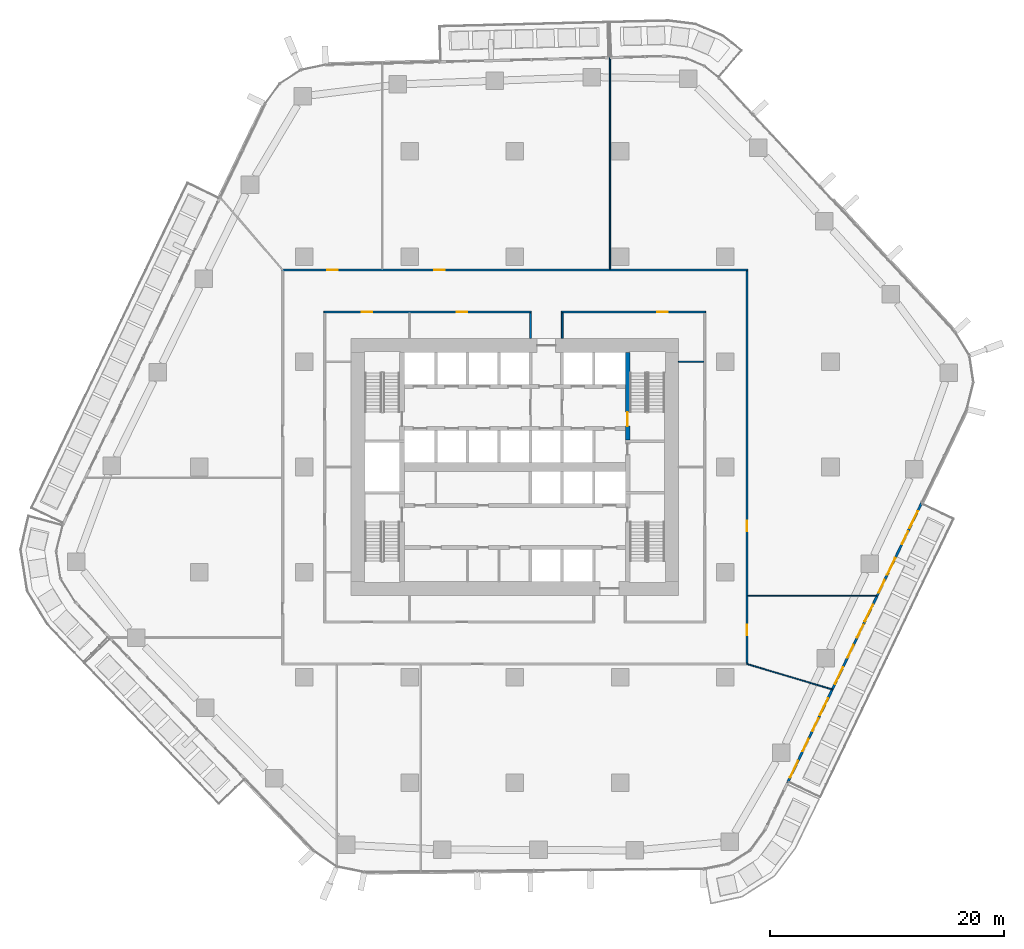
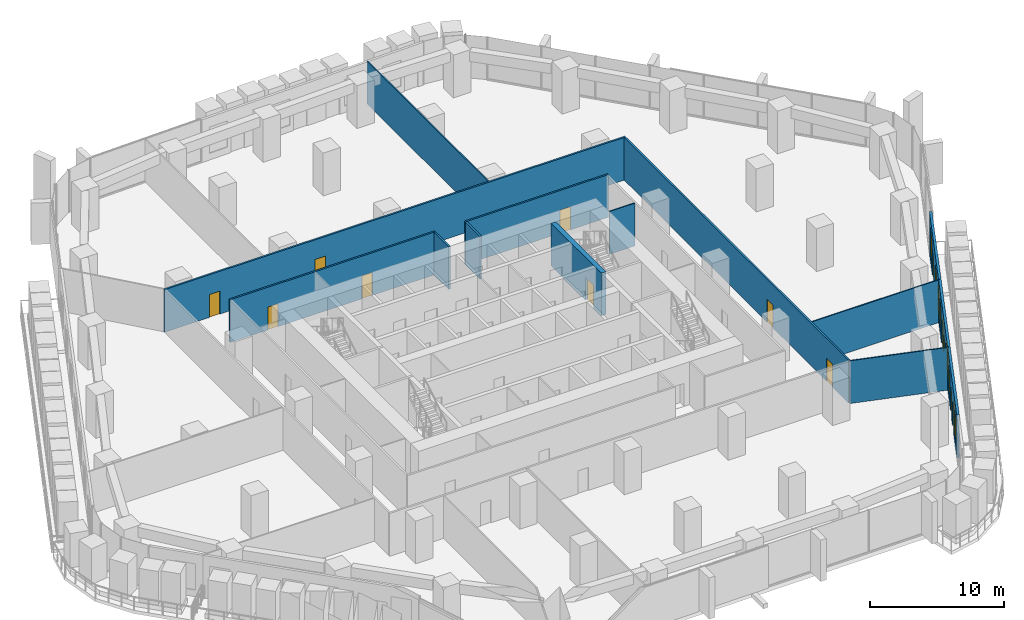
# One storey, part 15 of 23: 14 doors, 12 walls, 6 windows, 20 openings.
"""IFC4 building model written with IfcOpenShell, lengths in metres."""

from ifc_helpers import new_model, si_unit, direction, frame, frame_2d, origin, place, context, subcontext, project, spatial, rectangle, extrude, material, layer, layer_set, type_object, element, fill, save


model = new_model("IFC4")

# Units and contexts
model_context = context("Model", 3, precision=1e-05, world=origin(), true_north=direction((0.0, 1.0)))
body_context = subcontext(model_context, "Body", "Model", "MODEL_VIEW")
ifc_project = project(units=[si_unit("LENGTHUNIT", "METRE"), si_unit("AREAUNIT", "SQUARE_METRE"), si_unit("VOLUMEUNIT", "CUBIC_METRE"), si_unit("PLANEANGLEUNIT", "RADIAN"), si_unit("MASSUNIT", "GRAM", prefix="KILO")], contexts=[model_context])

# Site, building, storey
site_placement = place(None, origin())
site = spatial("IfcSite", under=ifc_project, at=site_placement, CompositionType="ELEMENT")
building_placement = place(site_placement, origin())
building = spatial("IfcBuilding", under=site, at=building_placement, Name="Dongbaek Canopy Tower", CompositionType="ELEMENT")
storey_placement = place(building_placement, frame((0.0, 0.0, 84.699951171875)))
storey = spatial("IfcBuildingStorey", under=building, at=storey_placement, Name="L17", CompositionType="ELEMENT", Elevation=84.699951171875)

# Wall, openings, doors
ifc_material_1 = material(Name="Gypsum board partition, steel stud, 2 x 15 mm fire board", Category="steel")
ifc_layer_1 = layer(ifc_material_1, 0.14990234375)
ifc_layer_set_1 = layer_set([ifc_layer_1], Name="Fire-rated partition 150 gypsum board")
wall_type_1 = type_object("IfcWallType", Name="Fire-rated partition 150 gypsum board", PredefinedType="PARTITIONING", material=ifc_layer_set_1)
wall_1_placement = place(storey_placement, frame((1.425048828125, 13.25, 0.0), z_axis=(0.0, 0.0, 1.0), x_axis=(-1.0, 0.0, 0.0)))
wall_1 = element("IfcWall", 1, at=wall_1_placement, inside=storey, type_object=wall_type_1, Name="Corridor partition", PredefinedType="PARTITIONING", context=body_context, shape_type="SweptSolid", body=[
    extrude(rectangle(XDim=17.75, YDim=0.14990234375, at=frame_2d((8.875, 0.0))), origin(), (0.0, 0.0, 1.0), 3.900146484375),
])
opening_1_placement = place(wall_1_placement, frame((5.47509765625, 0.0, 0.0)))
opening_1 = element("IfcOpeningElement", 2, at=opening_1_placement, cuts=wall_1, Name="Opening L17-D015", PredefinedType="OPENING", context=body_context, shape_type="SweptSolid", body=[
    extrude(rectangle(XDim=0.89990234375, YDim=2.10009765625, at=frame_2d((0.449951171875, 1.050048828125))), frame((0.0, 0.0849609375, 0.0), z_axis=(0.0, -1.0, 0.0), x_axis=(1.0, 0.0, 0.0)), (0.0, 0.0, 1.0), 0.169921875),
])
opening_2_placement = place(wall_1_placement, frame((13.60009765625, 0.0, 0.0)))
opening_2 = element("IfcOpeningElement", 3, at=opening_2_placement, cuts=wall_1, Name="Opening L17-D016", PredefinedType="OPENING", context=body_context, shape_type="SweptSolid", body=[
    extrude(rectangle(XDim=0.89990234375, YDim=2.10009765625, at=frame_2d((0.449951171875, 1.050048828125))), frame((0.0, 0.0849609375, 0.0), z_axis=(0.0, -1.0, 0.0), x_axis=(1.0, 0.0, 0.0)), (0.0, 0.0, 1.0), 0.169921875),
])
ifc_material_2 = material(Name="Timber veneered door leaf", Category="wood")
door_type_1 = type_object("IfcDoorType", Name="Room door 900 x 2100", OperationType="SINGLE_SWING_LEFT", PredefinedType="DOOR", material=ifc_material_2)
door_1_placement = place(opening_1_placement, origin())
door_1 = element("IfcDoor", 4, at=door_1_placement, inside=storey, type_object=door_type_1, Name="Door L17-D015", OperationType="SINGLE_SWING_LEFT", OverallHeight=2.10009765625, OverallWidth=0.89990234375, PredefinedType="DOOR", context=body_context, shape_type="SweptSolid", body=[
    extrude(rectangle(XDim=0.89990234375, YDim=2.10009765625, at=frame_2d((0.449951171875, 1.050048828125))), frame((0.0, 0.02490234375, 0.0), z_axis=(0.0, -1.0, 0.0), x_axis=(1.0, 0.0, 0.0)), (0.0, 0.0, 1.0), 0.050048828125),
])
fill(opening_1, door_1)
door_2_placement = place(opening_2_placement, origin())
door_2 = element("IfcDoor", 5, at=door_2_placement, inside=storey, type_object=door_type_1, Name="Door L17-D016", OperationType="SINGLE_SWING_RIGHT", OverallHeight=2.10009765625, OverallWidth=0.89990234375, PredefinedType="DOOR", context=body_context, shape_type="SweptSolid", body=[
    extrude(rectangle(XDim=0.89990234375, YDim=2.10009765625, at=frame_2d((0.449951171875, 1.050048828125))), frame((0.0, 0.02490234375, 0.0), z_axis=(0.0, -1.0, 0.0), x_axis=(1.0, 0.0, 0.0)), (0.0, 0.0, 1.0), 0.050048828125),
])
fill(opening_2, door_2)

# Wall, opening, door
wall_2_placement = place(storey_placement, frame((16.324951171875, 13.25, 0.0), z_axis=(0.0, 0.0, 1.0), x_axis=(-1.0, 0.0, 0.0)))
wall_2 = element("IfcWall", 6, at=wall_2_placement, inside=storey, type_object=wall_type_1, Name="Corridor partition", PredefinedType="PARTITIONING", context=body_context, shape_type="SweptSolid", body=[
    extrude(rectangle(XDim=12.349853515625, YDim=0.14990234375, at=frame_2d((6.1748046875, 0.0))), origin(), (0.0, 0.0, 1.0), 3.900146484375),
])
opening_3_placement = place(wall_2_placement, frame((3.25, 0.0, 0.0)))
opening_3 = element("IfcOpeningElement", 7, at=opening_3_placement, cuts=wall_2, Name="Opening L17-D014", PredefinedType="OPENING", context=body_context, shape_type="SweptSolid", body=[
    extrude(rectangle(XDim=0.89990234375, YDim=2.10009765625, at=frame_2d((0.449951171875, 1.050048828125))), frame((0.0, 0.0849609375, 0.0), z_axis=(0.0, -1.0, 0.0), x_axis=(1.0, 0.0, 0.0)), (0.0, 0.0, 1.0), 0.169921875),
])
door_3_placement = place(opening_3_placement, origin())
door_3 = element("IfcDoor", 8, at=door_3_placement, inside=storey, type_object=door_type_1, Name="Door L17-D014", OperationType="SINGLE_SWING_RIGHT", OverallHeight=2.10009765625, OverallWidth=0.89990234375, PredefinedType="DOOR", context=body_context, shape_type="SweptSolid", body=[
    extrude(rectangle(XDim=0.89990234375, YDim=2.10009765625, at=frame_2d((0.449951171875, 1.050048828125))), frame((0.0, 0.02490234375, 0.0), z_axis=(0.0, -1.0, 0.0), x_axis=(1.0, 0.0, 0.0)), (0.0, 0.0, 1.0), 0.050048828125),
])
fill(opening_3, door_3)

# Wall, openings, doors
wall_3_placement = place(storey_placement, frame((-19.925048828125, 16.85009765625, 0.0), z_axis=(0.0, 0.0, 1.0), x_axis=(1.0, 0.0, 0.0)))
wall_3 = element("IfcWall", 9, at=wall_3_placement, inside=storey, type_object=wall_type_1, Name="Corridor partition", PredefinedType="PARTITIONING", context=body_context, shape_type="SweptSolid", body=[
    extrude(rectangle(XDim=39.85009765625, YDim=0.14990234375, at=frame_2d((19.925048828125, 0.0))), origin(), (0.0, 0.0, 1.0), 3.900146484375),
])
opening_4_placement = place(wall_3_placement, frame((13.017333984375, 0.0, 0.0)))
opening_4 = element("IfcOpeningElement", 10, at=opening_4_placement, cuts=wall_3, Name="Opening L17-D006", PredefinedType="OPENING", context=body_context, shape_type="SweptSolid", body=[
    extrude(rectangle(XDim=0.89990234375, YDim=2.10009765625, at=frame_2d((0.449951171875, 1.050048828125))), frame((0.0, 0.0849609375, 0.0), z_axis=(0.0, -1.0, 0.0), x_axis=(1.0, 0.0, 0.0)), (0.0, 0.0, 1.0), 0.169921875),
])
opening_5_placement = place(wall_3_placement, frame((3.88720703125, 0.0, 0.0)))
opening_5 = element("IfcOpeningElement", 11, at=opening_5_placement, cuts=wall_3, Name="Opening L17-D007", PredefinedType="OPENING", context=body_context, shape_type="SweptSolid", body=[
    extrude(rectangle(XDim=0.89990234375, YDim=2.10009765625, at=frame_2d((0.449951171875, 1.050048828125))), frame((0.0, 0.0849609375, 0.0), z_axis=(0.0, -1.0, 0.0), x_axis=(1.0, 0.0, 0.0)), (0.0, 0.0, 1.0), 0.169921875),
])
door_4_placement = place(opening_4_placement, origin())
door_4 = element("IfcDoor", 12, at=door_4_placement, inside=storey, type_object=door_type_1, Name="Door L17-D006", OperationType="SINGLE_SWING_RIGHT", OverallHeight=2.10009765625, OverallWidth=0.89990234375, PredefinedType="DOOR", context=body_context, shape_type="SweptSolid", body=[
    extrude(rectangle(XDim=0.89990234375, YDim=2.10009765625, at=frame_2d((0.449951171875, 1.050048828125))), frame((0.0, 0.02490234375, 0.0), z_axis=(0.0, -1.0, 0.0), x_axis=(1.0, 0.0, 0.0)), (0.0, 0.0, 1.0), 0.050048828125),
])
fill(opening_4, door_4)
door_5_placement = place(opening_5_placement, origin())
door_5 = element("IfcDoor", 13, at=door_5_placement, inside=storey, type_object=door_type_1, Name="Door L17-D007", OperationType="SINGLE_SWING_LEFT", OverallHeight=2.10009765625, OverallWidth=0.89990234375, PredefinedType="DOOR", context=body_context, shape_type="SweptSolid", body=[
    extrude(rectangle(XDim=0.89990234375, YDim=2.10009765625, at=frame_2d((0.449951171875, 1.050048828125))), frame((0.0, 0.02490234375, 0.0), z_axis=(0.0, -1.0, 0.0), x_axis=(1.0, 0.0, 0.0)), (0.0, 0.0, 1.0), 0.050048828125),
])
fill(opening_5, door_5)

wall_4_placement = place(storey_placement, frame((19.85009765625, 16.77490234375, 0.0), z_axis=(0.0, 0.0, 1.0), x_axis=(0.0, -1.0, 0.0)))
wall_4 = element("IfcWall", 14, at=wall_4_placement, inside=storey, type_object=wall_type_1, Name="Corridor partition", PredefinedType="PARTITIONING", context=body_context, shape_type="SweptSolid", body=[
    extrude(rectangle(XDim=33.5498046875, YDim=0.14990234375, at=frame_2d((16.77490234375, 0.0))), origin(), (0.0, 0.0, 1.0), 3.900146484375),
])
opening_6_placement = place(wall_4_placement, frame((30.26220703125, 0.0, 0.0)))
opening_6 = element("IfcOpeningElement", 15, at=opening_6_placement, cuts=wall_4, Name="Opening L17-D004", PredefinedType="OPENING", context=body_context, shape_type="SweptSolid", body=[
    extrude(rectangle(XDim=0.89990234375, YDim=2.10009765625, at=frame_2d((0.449951171875, 1.050048828125))), frame((0.0, 0.0849609375, 0.0), z_axis=(0.0, -1.0, 0.0), x_axis=(1.0, 0.0, 0.0)), (0.0, 0.0, 1.0), 0.169921875),
])
opening_7_placement = place(wall_4_placement, frame((21.351806640625, 0.0, 0.0)))
opening_7 = element("IfcOpeningElement", 16, at=opening_7_placement, cuts=wall_4, Name="Opening L17-D005", PredefinedType="OPENING", context=body_context, shape_type="SweptSolid", body=[
    extrude(rectangle(XDim=0.89990234375, YDim=2.10009765625, at=frame_2d((0.449951171875, 1.050048828125))), frame((0.0, 0.0849609375, 0.0), z_axis=(0.0, -1.0, 0.0), x_axis=(1.0, 0.0, 0.0)), (0.0, 0.0, 1.0), 0.169921875),
])
door_6_placement = place(opening_6_placement, origin())
door_6 = element("IfcDoor", 17, at=door_6_placement, inside=storey, type_object=door_type_1, Name="Door L17-D004", OperationType="SINGLE_SWING_RIGHT", OverallHeight=2.10009765625, OverallWidth=0.89990234375, PredefinedType="DOOR", context=body_context, shape_type="SweptSolid", body=[
    extrude(rectangle(XDim=0.89990234375, YDim=2.10009765625, at=frame_2d((0.449951171875, 1.050048828125))), frame((0.0, 0.02490234375, 0.0), z_axis=(0.0, -1.0, 0.0), x_axis=(1.0, 0.0, 0.0)), (0.0, 0.0, 1.0), 0.050048828125),
])
fill(opening_6, door_6)
door_7_placement = place(opening_7_placement, origin())
door_7 = element("IfcDoor", 18, at=door_7_placement, inside=storey, type_object=door_type_1, Name="Door L17-D005", OperationType="SINGLE_SWING_LEFT", OverallHeight=2.10009765625, OverallWidth=0.89990234375, PredefinedType="DOOR", context=body_context, shape_type="SweptSolid", body=[
    extrude(rectangle(XDim=0.89990234375, YDim=2.10009765625, at=frame_2d((0.449951171875, 1.050048828125))), frame((0.0, 0.02490234375, 0.0), z_axis=(0.0, -1.0, 0.0), x_axis=(1.0, 0.0, 0.0)), (0.0, 0.0, 1.0), 0.050048828125),
])
fill(opening_7, door_7)

# Walls
for number, where, z_axis, x_axis, name in (
    (19, (4.050048828125, 11.0, 0.0), (0.0, 0.0, 1.0), (0.0, 1.0, 0.0), "Corridor partition"),
    (20, (1.35009765625, 11.0, 0.0), (0.0, 0.0, 1.0), (0.0, 1.0, 0.0), "Corridor partition"),
):
    element("IfcWall", number, at=place(storey_placement, frame(where, z_axis=z_axis, x_axis=x_axis)), inside=storey, type_object=wall_type_1, Name=name, PredefinedType="PARTITIONING", context=body_context, shape_type="SweptSolid", body=[
        extrude(rectangle(XDim=2.175048828125, YDim=0.14990234375, at=frame_2d((1.08740234375, 0.0))), origin(), (0.0, 0.0, 1.0), 3.900146484375),
    ])
ifc_material_3 = material(Name="Gypsum board partition, steel stud, 2 x 12.5 mm board", Category="steel")
ifc_layer_2 = layer(ifc_material_3, 0.10009765625)
ifc_layer_set_2 = layer_set([ifc_layer_2], Name="Partition 100 gypsum board")
wall_type_2 = type_object("IfcWallType", Name="Partition 100 gypsum board", PredefinedType="PARTITIONING", material=ifc_layer_set_2)
wall_5_placement = place(storey_placement, frame((19.925048828125, -11.02490234375, 0.0), z_axis=(0.0, 0.0, 1.0), x_axis=(1.0, 0.0, 0.0)))
element("IfcWall", 21, at=wall_5_placement, inside=storey, type_object=wall_type_2, Name="Partition", PredefinedType="PARTITIONING", context=body_context, shape_type="SweptSolid", body=[
    extrude(rectangle(XDim=11.03759765625, YDim=0.10009765625, at=frame_2d((5.518798828125, 0.0))), origin(), (0.0, 0.0, 1.0), 3.900146484375),
])
wall_6_placement = place(storey_placement, frame((14.0, 9.0, 0.0), z_axis=(0.0, 0.0, 1.0), x_axis=(1.0, 0.0, 0.0)))
element("IfcWall", 22, at=wall_6_placement, inside=storey, type_object=wall_type_2, Name="Partition", PredefinedType="PARTITIONING", context=body_context, shape_type="SweptSolid", body=[
    extrude(rectangle(XDim=2.175048828125, YDim=0.10009765625, at=frame_2d((1.08740234375, 0.0))), origin(), (0.0, 0.0, 1.0), 3.900146484375),
])
wall_7_placement = place(storey_placement, frame((8.14599609375, 16.925048828125, 0.0), z_axis=(0.0, 0.0, 1.0), x_axis=(0.0, 1.0, 0.0)))
element("IfcWall", 23, at=wall_7_placement, inside=storey, type_object=wall_type_2, Name="Partition", PredefinedType="PARTITIONING", context=body_context, shape_type="SweptSolid", body=[
    extrude(rectangle(XDim=18.06396484375, YDim=0.10009765625, at=frame_2d((9.031982421875, 0.0))), origin(), (0.0, 0.0, 1.0), 3.900146484375),
])
wall_8_placement = place(storey_placement, frame((19.85009765625, -16.849609375, 0.0), z_axis=(0.0, 0.0, 1.0), x_axis=(0.958526393987, -0.285003775467, 0.0)))
element("IfcWall", 24, at=wall_8_placement, inside=storey, type_object=wall_type_2, Name="Partition", PredefinedType="PARTITIONING", context=body_context, shape_type="SweptSolid", body=[
    extrude(rectangle(XDim=7.59912109375, YDim=0.10009765625, at=frame_2d((3.799560546875, 0.0))), origin(), (0.0, 0.0, 1.0), 3.900146484375),
])

# Wall, opening, door
ifc_material_4 = material(Name="Concrete C60/75", Category="concrete")
ifc_layer_3 = layer(ifc_material_4, 0.39990234375)
ifc_layer_set_3 = layer_set([ifc_layer_3], Name="Stair wall 400 Concrete C60/75")
wall_type_3 = type_object("IfcWallType", Name="Stair wall 400 Concrete C60/75", PredefinedType="SHEAR", material=ifc_layer_set_3)
wall_9_placement = place(storey_placement, frame((9.64990234375, 9.800048828125, 0.0), z_axis=(0.0, 0.0, 1.0), x_axis=(0.0, -1.0, 0.0)))
wall_9 = element("IfcWall", 25, at=wall_9_placement, inside=storey, type_object=wall_type_3, Name="Stair wall", PredefinedType="SHEAR", context=body_context, shape_type="SweptSolid", body=[
    extrude(rectangle(XDim=7.5, YDim=0.39990234375, at=frame_2d((3.75, 0.0))), origin(), (0.0, 0.0, 1.0), 3.900146484375),
])
opening_8_placement = place(wall_9_placement, frame((5.10009765625, 0.0, 0.0)))
opening_8 = element("IfcOpeningElement", 26, at=opening_8_placement, cuts=wall_9, Name="Opening L17-D042", PredefinedType="OPENING", context=body_context, shape_type="SweptSolid", body=[
    extrude(rectangle(XDim=1.199951171875, YDim=2.10009765625, at=frame_2d((0.60009765625, 1.050048828125))), frame((0.0, 0.2099609375, 0.0), z_axis=(0.0, -1.0, 0.0), x_axis=(1.0, 0.0, 0.0)), (0.0, 0.0, 1.0), 0.419921875),
])
ifc_material_5 = material(Name="Steel", Category="steel")
door_type_2 = type_object("IfcDoorType", Name="Stair door 1200 x 2100", OperationType="SINGLE_SWING_LEFT", PredefinedType="DOOR", material=ifc_material_5)
door_8_placement = place(opening_8_placement, origin())
door_8 = element("IfcDoor", 27, at=door_8_placement, inside=storey, type_object=door_type_2, Name="Stair A door", OperationType="SINGLE_SWING_LEFT", OverallHeight=2.10009765625, OverallWidth=1.199951171875, PredefinedType="DOOR", context=body_context, shape_type="SweptSolid", body=[
    extrude(rectangle(XDim=1.199951171875, YDim=2.10009765625, at=frame_2d((0.60009765625, 1.050048828125))), frame((0.0, 0.02490234375, 0.0), z_axis=(0.0, -1.0, 0.0), x_axis=(1.0, 0.0, 0.0)), (0.0, 0.0, 1.0), 0.050048828125),
])
fill(opening_8, door_8)

# Wall, openings, doors, windows
ifc_material_6 = material(Name="Aluminium window wall", Category="aluminium")
ifc_layer_4 = layer(ifc_material_6, 0.199951171875)
ifc_layer_set_4 = layer_set([ifc_layer_4], Name="Window wall 200")
wall_type_4 = type_object("IfcWallType", Name="Window wall 200", PredefinedType="SOLIDWALL", material=ifc_layer_set_4)
wall_10_placement = place(storey_placement, frame((23.321533203125, -27.018798828125, 0.0), z_axis=(0.0, 0.0, 1.0), x_axis=(0.432099655508, 0.901825863296, 0.0)))
wall_10 = element("IfcWall", 28, at=wall_10_placement, inside=storey, type_object=wall_type_4, Name="Window wall L17 4", PredefinedType="SOLIDWALL", context=body_context, shape_type="SweptSolid", body=[
    extrude(rectangle(XDim=26.60302734375, YDim=0.199951171875, at=frame_2d((13.301513671875, 0.0))), origin(), (0.0, 0.0, 1.0), 3.900146484375),
])
opening_9_placement = place(wall_10_placement, frame((0.5, 0.0, 0.60009765625)))
opening_9 = element("IfcOpeningElement", 29, at=opening_9_placement, cuts=wall_10, Name="Opening W1", PredefinedType="OPENING", context=body_context, shape_type="SweptSolid", body=[
    extrude(rectangle(XDim=1.60009765625, YDim=2.39990234375, at=frame_2d((0.800048828125, 1.199951171875))), frame((0.0, 0.10986328125, 0.0), z_axis=(0.0, -1.0, 0.0), x_axis=(1.0, 0.0, 0.0)), (0.0, 0.0, 1.0), 0.219970703125),
])
opening_10_placement = place(wall_10_placement, frame((3.0, 0.0, 0.0)))
opening_10 = element("IfcOpeningElement", 30, at=opening_10_placement, cuts=wall_10, Name="Opening L17-B17", PredefinedType="OPENING", context=body_context, shape_type="SweptSolid", body=[
    extrude(rectangle(XDim=1.199951171875, YDim=2.39990234375, at=frame_2d((0.60009765625, 1.199951171875))), frame((0.0, 0.10986328125, 0.0), z_axis=(0.0, -1.0, 0.0), x_axis=(1.0, 0.0, 0.0)), (0.0, 0.0, 1.0), 0.219970703125),
])
opening_11_placement = place(wall_10_placement, frame((6.433837890625, 0.0, 0.60009765625)))
opening_11 = element("IfcOpeningElement", 31, at=opening_11_placement, cuts=wall_10, Name="Opening W1", PredefinedType="OPENING", context=body_context, shape_type="SweptSolid", body=[
    extrude(rectangle(XDim=1.60009765625, YDim=2.39990234375, at=frame_2d((0.800048828125, 1.199951171875))), frame((0.0, 0.10986328125, 0.0), z_axis=(0.0, -1.0, 0.0), x_axis=(1.0, 0.0, 0.0)), (0.0, 0.0, 1.0), 0.219970703125),
])
opening_12_placement = place(wall_10_placement, frame((4.933837890625, 0.0, 0.0)))
opening_12 = element("IfcOpeningElement", 32, at=opening_12_placement, cuts=wall_10, Name="Opening L17-B18", PredefinedType="OPENING", context=body_context, shape_type="SweptSolid", body=[
    extrude(rectangle(XDim=1.199951171875, YDim=2.39990234375, at=frame_2d((0.60009765625, 1.199951171875))), frame((0.0, 0.10986328125, 0.0), z_axis=(0.0, -1.0, 0.0), x_axis=(1.0, 0.0, 0.0)), (0.0, 0.0, 1.0), 0.219970703125),
])
opening_13_placement = place(wall_10_placement, frame((9.36767578125, 0.0, 0.60009765625)))
opening_13 = element("IfcOpeningElement", 33, at=opening_13_placement, cuts=wall_10, Name="Opening W1", PredefinedType="OPENING", context=body_context, shape_type="SweptSolid", body=[
    extrude(rectangle(XDim=1.60009765625, YDim=2.39990234375, at=frame_2d((0.800048828125, 1.199951171875))), frame((0.0, 0.10986328125, 0.0), z_axis=(0.0, -1.0, 0.0), x_axis=(1.0, 0.0, 0.0)), (0.0, 0.0, 1.0), 0.219970703125),
])
opening_14_placement = place(wall_10_placement, frame((11.86767578125, 0.0, 0.0)))
opening_14 = element("IfcOpeningElement", 34, at=opening_14_placement, cuts=wall_10, Name="Opening L17-B19", PredefinedType="OPENING", context=body_context, shape_type="SweptSolid", body=[
    extrude(rectangle(XDim=1.199951171875, YDim=2.39990234375, at=frame_2d((0.60009765625, 1.199951171875))), frame((0.0, 0.10986328125, 0.0), z_axis=(0.0, -1.0, 0.0), x_axis=(1.0, 0.0, 0.0)), (0.0, 0.0, 1.0), 0.219970703125),
])
opening_15_placement = place(wall_10_placement, frame((15.30126953125, 0.0, 0.60009765625)))
opening_15 = element("IfcOpeningElement", 35, at=opening_15_placement, cuts=wall_10, Name="Opening W1", PredefinedType="OPENING", context=body_context, shape_type="SweptSolid", body=[
    extrude(rectangle(XDim=1.60009765625, YDim=2.39990234375, at=frame_2d((0.800048828125, 1.199951171875))), frame((0.0, 0.10986328125, 0.0), z_axis=(0.0, -1.0, 0.0), x_axis=(1.0, 0.0, 0.0)), (0.0, 0.0, 1.0), 0.219970703125),
])
opening_16_placement = place(wall_10_placement, frame((13.80126953125, 0.0, 0.0)))
opening_16 = element("IfcOpeningElement", 36, at=opening_16_placement, cuts=wall_10, Name="Opening L17-B20", PredefinedType="OPENING", context=body_context, shape_type="SweptSolid", body=[
    extrude(rectangle(XDim=1.199951171875, YDim=2.39990234375, at=frame_2d((0.60009765625, 1.199951171875))), frame((0.0, 0.10986328125, 0.0), z_axis=(0.0, -1.0, 0.0), x_axis=(1.0, 0.0, 0.0)), (0.0, 0.0, 1.0), 0.219970703125),
])
opening_17_placement = place(wall_10_placement, frame((19.735107421875, 0.0, 0.60009765625)))
opening_17 = element("IfcOpeningElement", 37, at=opening_17_placement, cuts=wall_10, Name="Opening W1", PredefinedType="OPENING", context=body_context, shape_type="SweptSolid", body=[
    extrude(rectangle(XDim=1.60009765625, YDim=2.39990234375, at=frame_2d((0.800048828125, 1.199951171875))), frame((0.0, 0.10986328125, 0.0), z_axis=(0.0, -1.0, 0.0), x_axis=(1.0, 0.0, 0.0)), (0.0, 0.0, 1.0), 0.219970703125),
])
opening_18_placement = place(wall_10_placement, frame((18.03515625, 0.0, 0.0)))
opening_18 = element("IfcOpeningElement", 38, at=opening_18_placement, cuts=wall_10, Name="Opening L17-B21", PredefinedType="OPENING", context=body_context, shape_type="SweptSolid", body=[
    extrude(rectangle(XDim=1.199951171875, YDim=2.39990234375, at=frame_2d((0.60009765625, 1.199951171875))), frame((0.0, 0.10986328125, 0.0), z_axis=(0.0, -1.0, 0.0), x_axis=(1.0, 0.0, 0.0)), (0.0, 0.0, 1.0), 0.219970703125),
])
opening_19_placement = place(wall_10_placement, frame((24.1689453125, 0.0, 0.60009765625)))
opening_19 = element("IfcOpeningElement", 39, at=opening_19_placement, cuts=wall_10, Name="Opening W1", PredefinedType="OPENING", context=body_context, shape_type="SweptSolid", body=[
    extrude(rectangle(XDim=1.60009765625, YDim=2.39990234375, at=frame_2d((0.800048828125, 1.199951171875))), frame((0.0, 0.10986328125, 0.0), z_axis=(0.0, -1.0, 0.0), x_axis=(1.0, 0.0, 0.0)), (0.0, 0.0, 1.0), 0.219970703125),
])
opening_20_placement = place(wall_10_placement, frame((22.6689453125, 0.0, 0.0)))
opening_20 = element("IfcOpeningElement", 40, at=opening_20_placement, cuts=wall_10, Name="Opening L17-B22", PredefinedType="OPENING", context=body_context, shape_type="SweptSolid", body=[
    extrude(rectangle(XDim=1.199951171875, YDim=2.39990234375, at=frame_2d((0.60009765625, 1.199951171875))), frame((0.0, 0.10986328125, 0.0), z_axis=(0.0, -1.0, 0.0), x_axis=(1.0, 0.0, 0.0)), (0.0, 0.0, 1.0), 0.219970703125),
])
ifc_material_7 = material(Name="Clear glazing in aluminium frame", Category="aluminium")
door_type_3 = type_object("IfcDoorType", Name="Balcony door BD1 1200 x 2400", OperationType="SLIDING_TO_LEFT", PredefinedType="DOOR", material=ifc_material_7)
door_9_placement = place(opening_10_placement, origin())
door_9 = element("IfcDoor", 41, at=door_9_placement, inside=storey, type_object=door_type_3, Name="Balcony door L17-B17", OperationType="SLIDING_TO_LEFT", OverallHeight=2.39990234375, OverallWidth=1.199951171875, PredefinedType="DOOR", context=body_context, shape_type="SweptSolid", body=[
    extrude(rectangle(XDim=1.199951171875, YDim=2.39990234375, at=frame_2d((0.60009765625, 1.199951171875))), frame((0.0, 0.02490234375, 0.0), z_axis=(0.0, -1.0, 0.0), x_axis=(1.0, 0.0, 0.0)), (0.0, 0.0, 1.0), 0.050048828125),
])
fill(opening_10, door_9)
door_10_placement = place(opening_12_placement, origin())
door_10 = element("IfcDoor", 42, at=door_10_placement, inside=storey, type_object=door_type_3, Name="Balcony door L17-B18", OperationType="SLIDING_TO_LEFT", OverallHeight=2.39990234375, OverallWidth=1.199951171875, PredefinedType="DOOR", context=body_context, shape_type="SweptSolid", body=[
    extrude(rectangle(XDim=1.199951171875, YDim=2.39990234375, at=frame_2d((0.60009765625, 1.199951171875))), frame((0.0, 0.02490234375, 0.0), z_axis=(0.0, -1.0, 0.0), x_axis=(1.0, 0.0, 0.0)), (0.0, 0.0, 1.0), 0.050048828125),
])
fill(opening_12, door_10)
door_11_placement = place(opening_14_placement, origin())
door_11 = element("IfcDoor", 43, at=door_11_placement, inside=storey, type_object=door_type_3, Name="Balcony door L17-B19", OperationType="SLIDING_TO_LEFT", OverallHeight=2.39990234375, OverallWidth=1.199951171875, PredefinedType="DOOR", context=body_context, shape_type="SweptSolid", body=[
    extrude(rectangle(XDim=1.199951171875, YDim=2.39990234375, at=frame_2d((0.60009765625, 1.199951171875))), frame((0.0, 0.02490234375, 0.0), z_axis=(0.0, -1.0, 0.0), x_axis=(1.0, 0.0, 0.0)), (0.0, 0.0, 1.0), 0.050048828125),
])
fill(opening_14, door_11)
door_12_placement = place(opening_16_placement, origin())
door_12 = element("IfcDoor", 44, at=door_12_placement, inside=storey, type_object=door_type_3, Name="Balcony door L17-B20", OperationType="SLIDING_TO_LEFT", OverallHeight=2.39990234375, OverallWidth=1.199951171875, PredefinedType="DOOR", context=body_context, shape_type="SweptSolid", body=[
    extrude(rectangle(XDim=1.199951171875, YDim=2.39990234375, at=frame_2d((0.60009765625, 1.199951171875))), frame((0.0, 0.02490234375, 0.0), z_axis=(0.0, -1.0, 0.0), x_axis=(1.0, 0.0, 0.0)), (0.0, 0.0, 1.0), 0.050048828125),
])
fill(opening_16, door_12)
door_13_placement = place(opening_18_placement, origin())
door_13 = element("IfcDoor", 45, at=door_13_placement, inside=storey, type_object=door_type_3, Name="Balcony door L17-B21", OperationType="SLIDING_TO_LEFT", OverallHeight=2.39990234375, OverallWidth=1.199951171875, PredefinedType="DOOR", context=body_context, shape_type="SweptSolid", body=[
    extrude(rectangle(XDim=1.199951171875, YDim=2.39990234375, at=frame_2d((0.60009765625, 1.199951171875))), frame((0.0, 0.02490234375, 0.0), z_axis=(0.0, -1.0, 0.0), x_axis=(1.0, 0.0, 0.0)), (0.0, 0.0, 1.0), 0.050048828125),
])
fill(opening_18, door_13)
door_14_placement = place(opening_20_placement, origin())
door_14 = element("IfcDoor", 46, at=door_14_placement, inside=storey, type_object=door_type_3, Name="Balcony door L17-B22", OperationType="SLIDING_TO_LEFT", OverallHeight=2.39990234375, OverallWidth=1.199951171875, PredefinedType="DOOR", context=body_context, shape_type="SweptSolid", body=[
    extrude(rectangle(XDim=1.199951171875, YDim=2.39990234375, at=frame_2d((0.60009765625, 1.199951171875))), frame((0.0, 0.02490234375, 0.0), z_axis=(0.0, -1.0, 0.0), x_axis=(1.0, 0.0, 0.0)), (0.0, 0.0, 1.0), 0.050048828125),
])
fill(opening_20, door_14)
ifc_material_8 = material(Name="Clear glazing in aluminium frame", Category="aluminium")
window_type = type_object("IfcWindowType", Name="Window W1 1600 x 2400", PartitioningType="SINGLE_PANEL", PredefinedType="WINDOW", material=ifc_material_8)
window_1_placement = place(opening_9_placement, origin())
window_1 = element("IfcWindow", 47, at=window_1_placement, inside=storey, type_object=window_type, Name="Window L17 4.1", OverallHeight=2.39990234375, OverallWidth=1.60009765625, PartitioningType="SINGLE_PANEL", PredefinedType="WINDOW", context=body_context, shape_type="SweptSolid", body=[
    extrude(rectangle(XDim=1.60009765625, YDim=2.39990234375, at=frame_2d((0.800048828125, 1.199951171875))), frame((0.0, 0.030029296875, 0.0), z_axis=(0.0, -1.0, 0.0), x_axis=(1.0, 0.0, 0.0)), (0.0, 0.0, 1.0), 0.06005859375),
])
fill(opening_9, window_1)
window_2_placement = place(opening_11_placement, origin())
window_2 = element("IfcWindow", 48, at=window_2_placement, inside=storey, type_object=window_type, Name="Window L17 4.2", OverallHeight=2.39990234375, OverallWidth=1.60009765625, PartitioningType="SINGLE_PANEL", PredefinedType="WINDOW", context=body_context, shape_type="SweptSolid", body=[
    extrude(rectangle(XDim=1.60009765625, YDim=2.39990234375, at=frame_2d((0.800048828125, 1.199951171875))), frame((0.0, 0.030029296875, 0.0), z_axis=(0.0, -1.0, 0.0), x_axis=(1.0, 0.0, 0.0)), (0.0, 0.0, 1.0), 0.06005859375),
])
fill(opening_11, window_2)
window_3_placement = place(opening_13_placement, origin())
window_3 = element("IfcWindow", 49, at=window_3_placement, inside=storey, type_object=window_type, Name="Window L17 4.3", OverallHeight=2.39990234375, OverallWidth=1.60009765625, PartitioningType="SINGLE_PANEL", PredefinedType="WINDOW", context=body_context, shape_type="SweptSolid", body=[
    extrude(rectangle(XDim=1.60009765625, YDim=2.39990234375, at=frame_2d((0.800048828125, 1.199951171875))), frame((0.0, 0.030029296875, 0.0), z_axis=(0.0, -1.0, 0.0), x_axis=(1.0, 0.0, 0.0)), (0.0, 0.0, 1.0), 0.06005859375),
])
fill(opening_13, window_3)
window_4_placement = place(opening_15_placement, origin())
window_4 = element("IfcWindow", 50, at=window_4_placement, inside=storey, type_object=window_type, Name="Window L17 4.4", OverallHeight=2.39990234375, OverallWidth=1.60009765625, PartitioningType="SINGLE_PANEL", PredefinedType="WINDOW", context=body_context, shape_type="SweptSolid", body=[
    extrude(rectangle(XDim=1.60009765625, YDim=2.39990234375, at=frame_2d((0.800048828125, 1.199951171875))), frame((0.0, 0.030029296875, 0.0), z_axis=(0.0, -1.0, 0.0), x_axis=(1.0, 0.0, 0.0)), (0.0, 0.0, 1.0), 0.06005859375),
])
fill(opening_15, window_4)
window_5_placement = place(opening_17_placement, origin())
window_5 = element("IfcWindow", 51, at=window_5_placement, inside=storey, type_object=window_type, Name="Window L17 4.5", OverallHeight=2.39990234375, OverallWidth=1.60009765625, PartitioningType="SINGLE_PANEL", PredefinedType="WINDOW", context=body_context, shape_type="SweptSolid", body=[
    extrude(rectangle(XDim=1.60009765625, YDim=2.39990234375, at=frame_2d((0.800048828125, 1.199951171875))), frame((0.0, 0.030029296875, 0.0), z_axis=(0.0, -1.0, 0.0), x_axis=(1.0, 0.0, 0.0)), (0.0, 0.0, 1.0), 0.06005859375),
])
fill(opening_17, window_5)
window_6_placement = place(opening_19_placement, origin())
window_6 = element("IfcWindow", 52, at=window_6_placement, inside=storey, type_object=window_type, Name="Window L17 4.6", OverallHeight=2.39990234375, OverallWidth=1.60009765625, PartitioningType="SINGLE_PANEL", PredefinedType="WINDOW", context=body_context, shape_type="SweptSolid", body=[
    extrude(rectangle(XDim=1.60009765625, YDim=2.39990234375, at=frame_2d((0.800048828125, 1.199951171875))), frame((0.0, 0.030029296875, 0.0), z_axis=(0.0, -1.0, 0.0), x_axis=(1.0, 0.0, 0.0)), (0.0, 0.0, 1.0), 0.06005859375),
])
fill(opening_19, window_6)

save(model, "model.ifc")
